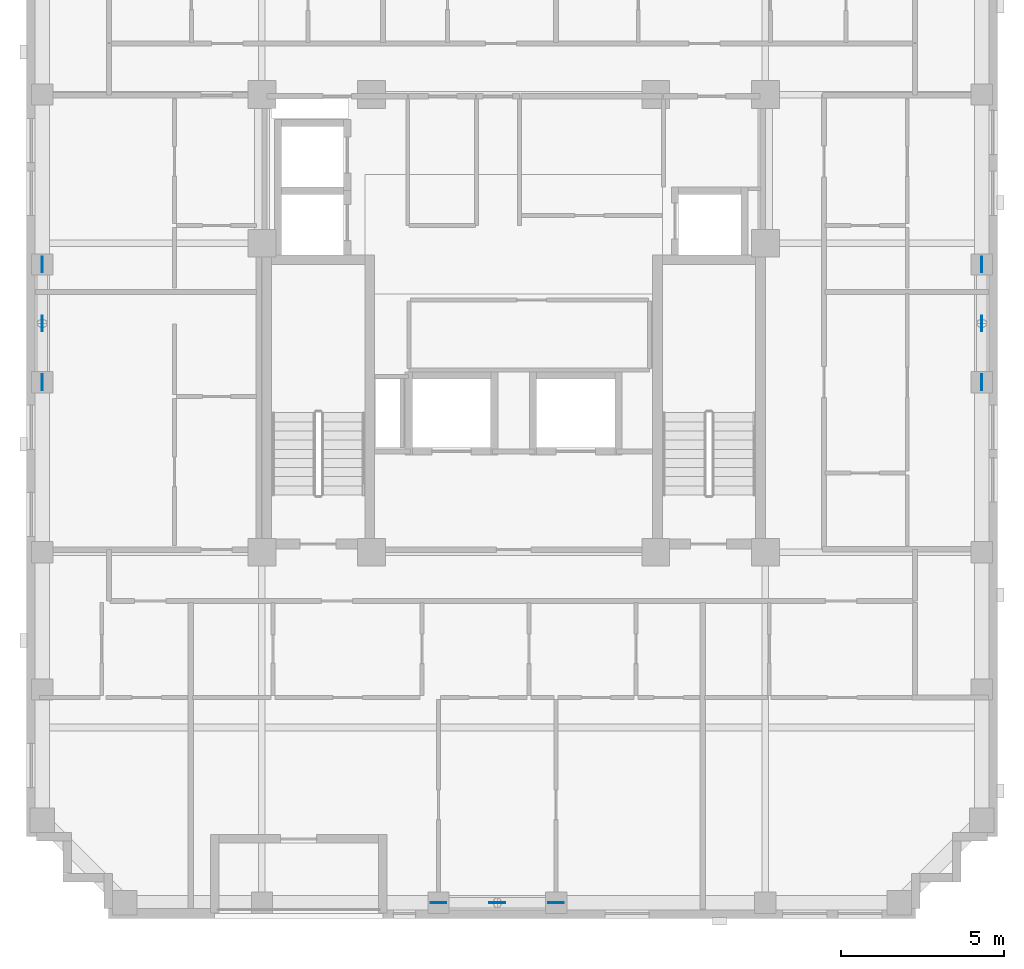
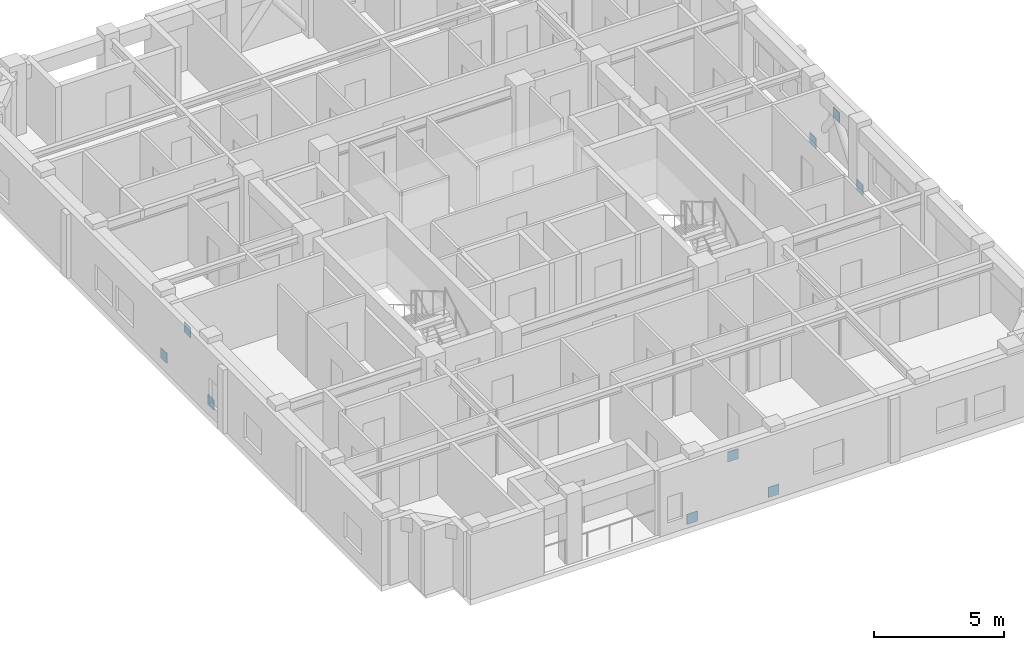
# One storey, part 8 of 11: 9 discrete accessories.
"""IFC4 building model written with IfcOpenShell, lengths in metres."""

import ifcopenshell
import ifcopenshell.guid

model = None  # the IFC model being written
_history = None  # IfcOwnerHistory: only IFC2X3 demands one
_inside = {}  # id of a spatial element -> (the spatial element, [elements in it])
_under = {}  # id of a project, library or spatial element -> (it, [spatial elements below it])
_declared = {}  # id of a project -> (the project, [libraries it declares])
_typed = {}  # id of a type object -> (the type object, [elements of that type])
_made_of = {}  # id of a material, layer set ... -> (it, [elements and type objects made of it])


def new_model(schema):
    """Start an empty IFC model of exactly this schema.

    Asked for "IFC4X3", IfcOpenShell would pick the latest addendum, in which some entities
    have other attributes; the version numbers below select the first issue.
    IFC2X3 requires an IfcOwnerHistory on every rooted entity: one is made here for all.
    """
    global model, _history
    if schema == "IFC4X3":
        model = ifcopenshell.file(schema_version=(4, 3, 0, 0))
    else:
        model = ifcopenshell.file(schema=schema)
    _inside.clear()
    _under.clear()
    _declared.clear()
    _typed.clear()
    _made_of.clear()
    _history = None
    if model.schema == "IFC2X3":
        org = make("IfcOrganization", Name="unknown")
        user = make(
            "IfcPersonAndOrganization",
            ThePerson=make("IfcPerson", FamilyName="unknown"),
            TheOrganization=org,
        )
        app = make(
            "IfcApplication",
            ApplicationDeveloper=org,
            Version="unknown",
            ApplicationFullName="unknown",
            ApplicationIdentifier="unknown",
        )
        _history = make(
            "IfcOwnerHistory",
            OwningUser=user,
            OwningApplication=app,
            ChangeAction="ADDED",
            CreationDate=0,
        )
    return model


def make(cls, **values):
    """One entity of the class cls with the attributes given. An attribute that is None is left unset."""
    return model.create_entity(
        cls, **{name: value for name, value in values.items() if value is not None}
    )


def rooted(cls, **values):
    """An entity with a GlobalId (a new one), such as an element, a storey or a relation."""
    return make(cls, GlobalId=ifcopenshell.guid.new(), OwnerHistory=_history, **values)


def si_unit(unit_type, name, prefix=None):
    """IfcSIUnit, for example si_unit("LENGTHUNIT", "METRE", prefix="MILLI")."""
    return make("IfcSIUnit", UnitType=unit_type, Prefix=prefix, Name=name)


def derived_unit(unit_type, elements):
    """IfcDerivedUnit: a product of units, each with its exponent."""
    return make(
        "IfcDerivedUnit",
        Elements=[
            make("IfcDerivedUnitElement", Unit=unit, Exponent=power)
            for unit, power in elements
        ],
        UnitType=unit_type,
    )


def assignment(units):
    """IfcUnitAssignment: the units of a project."""
    return None if units is None else make("IfcUnitAssignment", Units=units)


def point(xyz):
    """IfcCartesianPoint."""
    return None if xyz is None else make("IfcCartesianPoint", Coordinates=xyz)


def direction(xyz):
    """IfcDirection."""
    return None if xyz is None else make("IfcDirection", DirectionRatios=xyz)


def frame(location, z_axis=None, x_axis=None):
    """IfcAxis2Placement3D, a coordinate frame: its origin and axes. An axis left out is left unset."""
    return make(
        "IfcAxis2Placement3D",
        Location=point(location),
        Axis=direction(z_axis),
        RefDirection=direction(x_axis),
    )


def frame_2d(location, x_axis=None):
    """IfcAxis2Placement2D, a coordinate frame in the plane: its origin and x axis."""
    return make(
        "IfcAxis2Placement2D", Location=point(location), RefDirection=direction(x_axis)
    )


def origin():
    """The frame at (0, 0, 0) with its axes left unset."""
    return frame((0.0, 0.0, 0.0))


def origin_2d():
    """The frame at (0, 0) in the plane with its x axis left unset."""
    return frame_2d((0.0, 0.0))


def place(relative_to, where):
    """IfcLocalPlacement: puts the frame where relative to a parent placement (None: the world)."""
    return make(
        "IfcLocalPlacement", PlacementRelTo=relative_to, RelativePlacement=where
    )


def context(
    kind, dimensions, precision=None, world=None, true_north=None, identifier=None
):
    """IfcGeometricRepresentationContext, for example the 3D "Model" context."""
    return make(
        "IfcGeometricRepresentationContext",
        ContextIdentifier=identifier,
        ContextType=kind,
        CoordinateSpaceDimension=dimensions,
        Precision=precision,
        WorldCoordinateSystem=world,
        TrueNorth=true_north,
    )


def subcontext(parent, identifier, kind, view, scale=None):
    """IfcGeometricRepresentationSubContext, for example "Body" below "Model"."""
    return make(
        "IfcGeometricRepresentationSubContext",
        ContextIdentifier=identifier,
        ContextType=kind,
        ParentContext=parent,
        TargetScale=scale,
        TargetView=view,
    )


def project(units=None, contexts=None):
    """IfcProject with its units and contexts."""
    return rooted(
        "IfcProject",
        Name="project",
        RepresentationContexts=contexts,
        UnitsInContext=assignment(units),
    )


def spatial(cls, under=None, at=None, **own):
    """A site, building, storey or space (cls), placed at a placement, below another one or the project."""
    s = rooted(cls, ObjectPlacement=at, **own)
    if under is not None:
        _under.setdefault(under.id(), (under, []))[1].append(s)
    return s


def profile(cls, at=None, kind="AREA", **sizes):
    """A parametric profile (cls). Its sizes go by their IFC names, for example OverallWidth=200.0."""
    return make(cls, ProfileType=kind, Position=at, **sizes)


def rectangle(**sizes):
    """IfcRectangleProfileDef."""
    return profile("IfcRectangleProfileDef", **sizes)


def extrude(swept, where, along, depth):
    """IfcExtrudedAreaSolid: the profile swept, set in the frame where, extruded along a direction by depth."""
    return make(
        "IfcExtrudedAreaSolid",
        SweptArea=swept,
        Position=where,
        ExtrudedDirection=direction(along),
        Depth=depth,
    )


def shape(context_of_items, identifier, shape_type, items):
    """IfcShapeRepresentation: the items that make up one representation, for example the "Body"."""
    return make(
        "IfcShapeRepresentation",
        ContextOfItems=context_of_items,
        RepresentationIdentifier=identifier,
        RepresentationType=shape_type,
        Items=items,
    )


def material(Name=None, Category=None):
    """IfcMaterial."""
    return make("IfcMaterial", Name=Name, Category=Category)


def layer(
    of_material, thickness, ventilated=None, Name=None, Category=None, Priority=None
):
    """IfcMaterialLayer: one layer of a wall or slab, of a material (None: an air gap)."""
    return make(
        "IfcMaterialLayer",
        Material=of_material,
        LayerThickness=thickness,
        IsVentilated=ventilated,
        Name=Name,
        Category=Category,
        Priority=Priority,
    )


def layer_set(layers, Name=None):
    """IfcMaterialLayerSet."""
    return make("IfcMaterialLayerSet", MaterialLayers=layers, LayerSetName=Name)


def made_of(thing, what):
    """Note that an element or type object is made of a material, layer set ...; save() writes the relation."""
    if what is not None:
        _made_of.setdefault(what.id(), (what, []))[1].append(thing)
    return thing


def type_object(cls, material=None, **own):
    """A type object (cls), such as IfcWallType, which elements share."""
    return made_of(rooted(cls, **own), material)


def element(
    cls,
    number,
    at=None,
    inside=None,
    cuts=None,
    type_object=None,
    material=None,
    context=None,
    identifier="Body",
    shape_type=None,
    held_by="IfcProductDefinitionShape",
    body=None,
    shapes=None,
    **own,
):
    """One element of the class cls, such as IfcWall. Its Tag is "e" and its number.

    at: its placement. inside: the storey or other place that contains it. cuts: it is an
    opening in that element (IfcRelVoidsElement). A single representation is given by context,
    identifier, shape_type and body (its items); several are given by shapes. held_by: the class
    of the entity that holds the representations. save() writes the other relations.
    """
    e = rooted(cls, Tag="e%d" % number, ObjectPlacement=at, **own)
    if body is not None:
        shapes = [shape(context, identifier, shape_type, body)]
    if shapes is not None:
        e.Representation = make(held_by, Representations=shapes)
    if inside is not None:
        _inside.setdefault(inside.id(), (inside, []))[1].append(e)
    if cuts is not None:
        rooted(
            "IfcRelVoidsElement", RelatingBuildingElement=cuts, RelatedOpeningElement=e
        )
    if type_object is not None:
        _typed.setdefault(type_object.id(), (type_object, []))[1].append(e)
    return made_of(e, material)


def aggregate(whole, parts):
    """IfcRelAggregates: a whole, such as a stair, and the parts it consists of."""
    return rooted("IfcRelAggregates", RelatingObject=whole, RelatedObjects=parts)


def save(model, path):
    """Write the relations noted so far, then the file.

    IfcRelAggregates (storeys below a building ...), IfcRelContainedInSpatialStructure (elements
    in a storey), IfcRelDefinesByType, IfcRelAssociatesMaterial and IfcRelDeclares: one each for
    every whole, place, type object, material and project.
    """
    for whole, parts in _under.values():
        aggregate(whole, parts)
    for where, things in _inside.values():
        rooted(
            "IfcRelContainedInSpatialStructure",
            RelatedElements=things,
            RelatingStructure=where,
        )
    for kind, things in _typed.values():
        rooted("IfcRelDefinesByType", RelatedObjects=things, RelatingType=kind)
    for what, things in _made_of.values():
        rooted("IfcRelAssociatesMaterial", RelatedObjects=things, RelatingMaterial=what)
    for by, libraries in _declared.values():
        rooted("IfcRelDeclares", RelatingContext=by, RelatedDefinitions=libraries)
    model.write(path)


model = new_model("IFC4")

# Units and contexts
model_context = context("Model", 3, precision=1e-05, world=origin(), true_north=direction((0.0, 1.0)))
body_context = subcontext(model_context, "Body", "Model", "MODEL_VIEW")
ifc_project = project(units=[si_unit("LENGTHUNIT", "METRE"), si_unit("AREAUNIT", "SQUARE_METRE"), si_unit("VOLUMEUNIT", "CUBIC_METRE"), si_unit("PLANEANGLEUNIT", "RADIAN"), si_unit("MASSUNIT", "GRAM", prefix="KILO"), derived_unit("THERMALTRANSMITTANCEUNIT", [(si_unit("MASSUNIT", "GRAM", prefix="KILO"), 1), (si_unit("TIMEUNIT", "SECOND"), -3), (si_unit("THERMODYNAMICTEMPERATUREUNIT", "KELVIN"), -1)])], contexts=[model_context])

# Site, building, storey
site_placement = place(None, origin())
site = spatial("IfcSite", under=ifc_project, at=site_placement, CompositionType="ELEMENT")
building_placement = place(site_placement, origin())
building = spatial("IfcBuilding", under=site, at=building_placement, Name="Korrvale Station Residences", CompositionType="ELEMENT")
storey_placement = place(building_placement, frame((0.0, 0.0, 187.60009765625)))
storey = spatial("IfcBuildingStorey", under=building, at=storey_placement, Name="L54", CompositionType="ELEMENT", Elevation=187.60009765625)

# Discrete accessories
ifc_material = material(Name="Steel S355", Category="steel")
ifc_layer = layer(ifc_material, 0.02490234375, Name="Steel S355")
ifc_layer_set = layer_set([ifc_layer], Name="Steel S355")
discrete_accessory_type = type_object("IfcDiscreteAccessoryType", Name="ACC-GUSSET-25", PredefinedType="BRACKET", material=ifc_layer_set)
for number, where, z_axis, x_axis, name in (
    (1, (23.199951171875, 4.280029296875, -0.219970703125), (0.0, 0.0, 1.0), (1.0, 0.0, 0.0), "L54 S Brace End Gusset Connection A"),
    (2, (26.800048828125, 4.280029296875, -0.219970703125), (0.0, 0.0, 1.0), (1.0, 0.0, 0.0), "L54 S Brace End Gusset Connection B"),
    (3, (25.0, 4.280029296875, 2.06982421875), (0.0, 0.0, 1.0), (1.0, 0.0, 0.0), "L54 S Brace End Gusset Connection M"),
    (4, (11.080078125, 20.199951171875, -0.219970703125), (0.0, 0.0, 1.0), (0.0, 1.0, 0.0), "L54 W Brace End Gusset Connection A"),
    (5, (11.080078125, 23.800048828125, -0.219970703125), (0.0, 0.0, 1.0), (0.0, 1.0, 0.0), "L54 W Brace End Gusset Connection B"),
    (6, (11.080078125, 22.0, 2.06982421875), (0.0, 0.0, 1.0), (0.0, 1.0, 0.0), "L54 W Brace End Gusset Connection M"),
    (7, (39.820068359375, 20.199951171875, -0.219970703125), (0.0, 0.0, 1.0), (0.0, 1.0, 0.0), "L54 E Brace End Gusset Connection A"),
    (8, (39.820068359375, 23.800048828125, -0.219970703125), (0.0, 0.0, 1.0), (0.0, 1.0, 0.0), "L54 E Brace End Gusset Connection B"),
    (9, (39.820068359375, 22.0, 2.06982421875), (0.0, 0.0, 1.0), (0.0, 1.0, 0.0), "L54 E Brace End Gusset Connection M"),
):
    element("IfcDiscreteAccessory", number, at=place(storey_placement, frame(where, z_axis=z_axis, x_axis=x_axis)), inside=storey, type_object=discrete_accessory_type, Name=name, PredefinedType="BRACKET", context=body_context, shape_type="SweptSolid", body=[
        extrude(rectangle(XDim=0.47998046875, YDim=0.02490234375, at=origin_2d()), origin(), (0.0, 0.0, 1.0), 0.47998046875),
    ])

save(model, "model.ifc")
